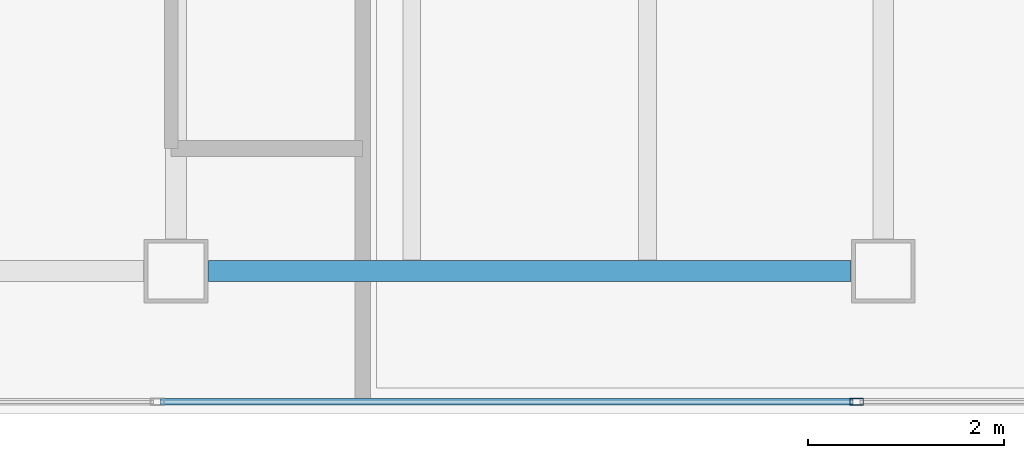
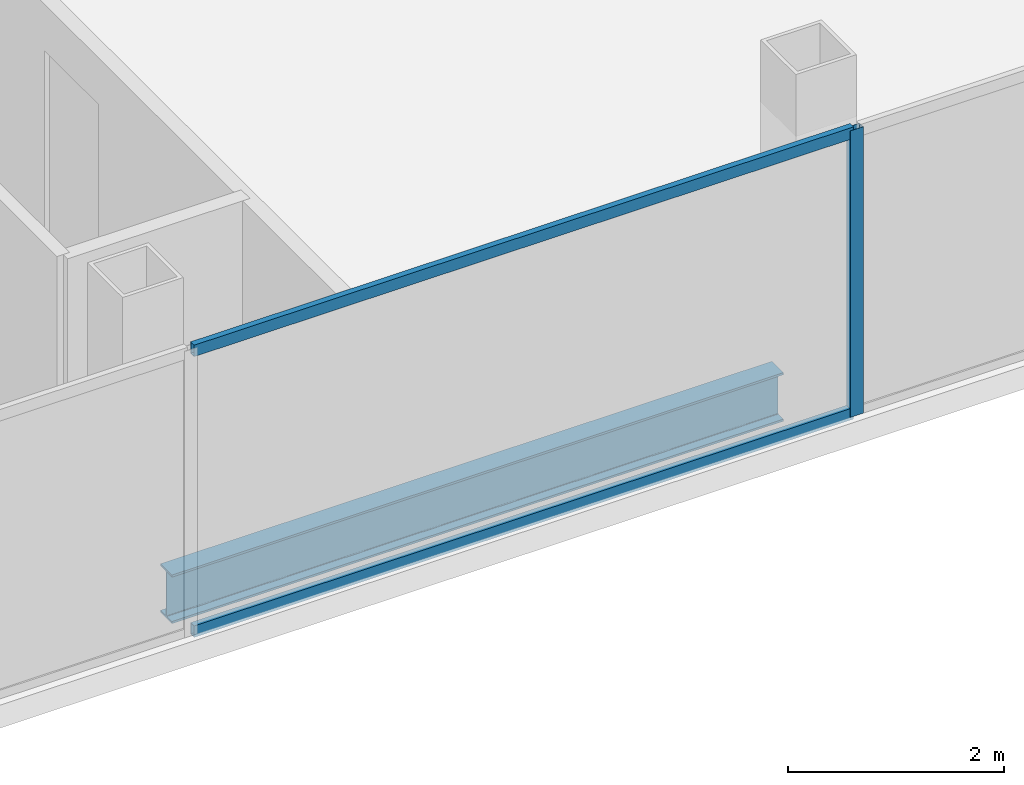
# One storey, part 12 of 23: 3 members, 1 beam, 1 element without a shape of its own.
"""IFC4 building model written with IfcOpenShell, lengths in metres."""

from ifc_helpers import new_model, si_unit, direction, frame, origin, origin_2d, place, context, subcontext, project, spatial, hollow_rectangle, i_section, extrude, material, material_profile, profile_set, type_object, element, aggregate, save


model = new_model("IFC4")

# Units and contexts
model_context = context("Model", 3, precision=1e-05, world=origin(), true_north=direction((0.0, 1.0)))
body_context = subcontext(model_context, "Body", "Model", "MODEL_VIEW")
ifc_project = project(units=[si_unit("LENGTHUNIT", "METRE"), si_unit("AREAUNIT", "SQUARE_METRE"), si_unit("VOLUMEUNIT", "CUBIC_METRE"), si_unit("PLANEANGLEUNIT", "RADIAN"), si_unit("MASSUNIT", "GRAM", prefix="KILO")], contexts=[model_context])

# Site, building, storey
site_placement = place(None, origin())
site = spatial("IfcSite", under=ifc_project, at=site_placement, CompositionType="ELEMENT")
building_placement = place(site_placement, origin())
building = spatial("IfcBuilding", under=site, at=building_placement, Name="Cobrela Telecom Tower", CompositionType="ELEMENT")
storey_placement = place(building_placement, frame((0.0, 0.0, 272.64990234375)))
storey = spatial("IfcBuildingStorey", under=building, at=storey_placement, Name="L71", CompositionType="ELEMENT", Elevation=272.64990234375)

# Beam
ifc_material_1 = material(Name="Steel ASTM A992 Grade 50", Category="steel")
ifc_material_profile_1 = material_profile(ifc_material_1, i_section(OverallWidth=0.212890625, OverallDepth=0.549072265625, WebThickness=0.0146484375, FlangeThickness=0.023681640625, FilletRadius=0.013916015625, at=origin_2d()), Name="W21X93")
ifc_profile_set_1 = profile_set([ifc_material_profile_1], Name="Steel ASTM A992 Grade 50")
beam_type = type_object("IfcBeamType", Name="BM-GIRD-08", PredefinedType="USERDEFINED", material=ifc_profile_set_1)
beam_placement = place(storey_placement, frame((29.1298828125, 7.85009765625, -0.534423828125), z_axis=(1.0, 0.0, 0.0), x_axis=(0.0, 1.0, 0.0)))
element("IfcBeam", 1, at=beam_placement, inside=storey, type_object=beam_type, Name="L71 Primary Girder X04", ObjectType="GIRDER", PredefinedType="USERDEFINED", context=body_context, shape_type="SweptSolid", body=[
    extrude(i_section(OverallWidth=0.212890625, OverallDepth=0.549072265625, WebThickness=0.0146484375, FlangeThickness=0.023681640625, FilletRadius=0.013916015625, at=origin_2d()), origin(), (0.0, 0.0, 1.0), 6.5400390625),
])

# Curtain wall, members
ifc_material_2 = material(Name="Anodized Bronze Aluminium 6063-T6", Category="aluminium")
curtain_wall_type = type_object("IfcCurtainWallType", Name="CW-SYS-OFF-HI", PredefinedType="USERDEFINED", material=ifc_material_2)
curtain_wall_placement = place(storey_placement, origin())
curtain_wall = element("IfcCurtainWall", 2, at=curtain_wall_placement, inside=storey, type_object=curtain_wall_type, Name="L71 Unitised Bronze Curtain Wall 15", ObjectType="UNITISED CURTAIN WALL", PredefinedType="USERDEFINED")
ifc_material_profile_2 = material_profile(ifc_material_2, hollow_rectangle(XDim=0.070068359375, YDim=0.139892578125, WallThickness=0.00390625, at=origin_2d()), Name="ALU 70x140x4")
ifc_profile_set_2 = profile_set([ifc_material_profile_2], Name="Anodized Bronze Aluminium 6063-T6")
member_type_1 = type_object("IfcMemberType", Name="CW-SYS-OFF-HI-MUL", PredefinedType="MULLION", material=ifc_profile_set_2)
member_1_placement = place(storey_placement, frame((35.728271484375, 6.52001953125, 0.0), z_axis=(0.0, 0.0, 1.0), x_axis=(0.0, -1.0, 0.0)))
member_1 = element("IfcMember", 3, at=member_1_placement, type_object=member_type_1, Name="CW-OFF-HI mullion 2", PredefinedType="MULLION", context=body_context, shape_type="SweptSolid", body=[
    extrude(hollow_rectangle(XDim=0.070068359375, YDim=0.139892578125, WallThickness=0.00390625, at=origin_2d()), origin(), (0.0, 0.0, 1.0), 3.239990234375),
])
ifc_material_profile_3 = material_profile(ifc_material_2, hollow_rectangle(XDim=0.06494140625, YDim=0.1298828125, WallThickness=0.00390625, at=origin_2d()), Name="ALU 65x130x4")
ifc_profile_set_3 = profile_set([ifc_material_profile_3], Name="Anodized Bronze Aluminium 6063-T6")
member_type_2 = type_object("IfcMemberType", Name="CW-SYS-OFF-HI-TRN", PredefinedType="USERDEFINED", material=ifc_profile_set_3)
member_2_placement = place(storey_placement, frame((35.693359375, 6.52001953125, 0.03271484375), z_axis=(-1.0, 0.0, 0.0), x_axis=(0.0, -1.0, 0.0)))
member_2 = element("IfcMember", 4, at=member_2_placement, type_object=member_type_2, Name="CW-OFF-HI transom 2.1", ObjectType="TRANSOM", PredefinedType="USERDEFINED", context=body_context, shape_type="SweptSolid", body=[
    extrude(hollow_rectangle(XDim=0.06494140625, YDim=0.1298828125, WallThickness=0.00390625, at=origin_2d()), origin(), (0.0, 0.0, 1.0), 7.0517578125),
])
member_3_placement = place(storey_placement, frame((35.693359375, 6.52001953125, 3.20751953125), z_axis=(-1.0, 0.0, 0.0), x_axis=(0.0, -1.0, 0.0)))
member_3 = element("IfcMember", 5, at=member_3_placement, type_object=member_type_2, Name="CW-OFF-HI transom 2.2", ObjectType="TRANSOM", PredefinedType="USERDEFINED", context=body_context, shape_type="SweptSolid", body=[
    extrude(hollow_rectangle(XDim=0.06494140625, YDim=0.1298828125, WallThickness=0.00390625, at=origin_2d()), origin(), (0.0, 0.0, 1.0), 7.0517578125),
])
aggregate(curtain_wall, [member_1, member_2, member_3])

save(model, "model.ifc")
